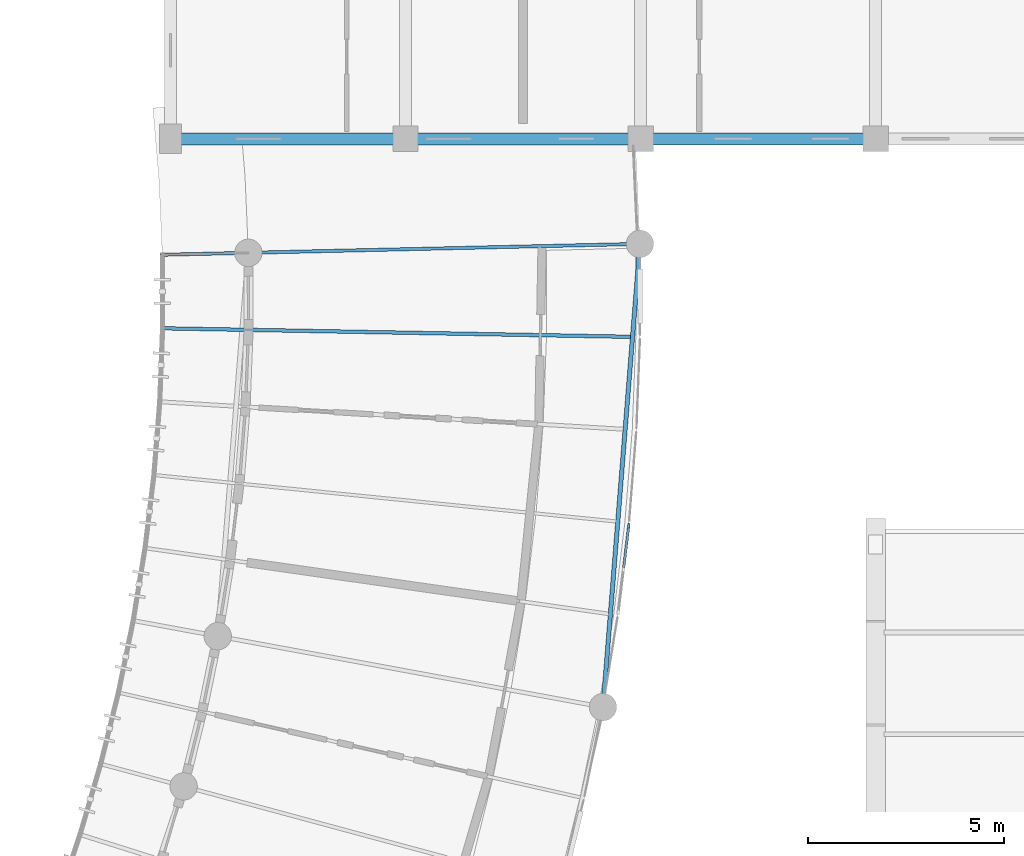
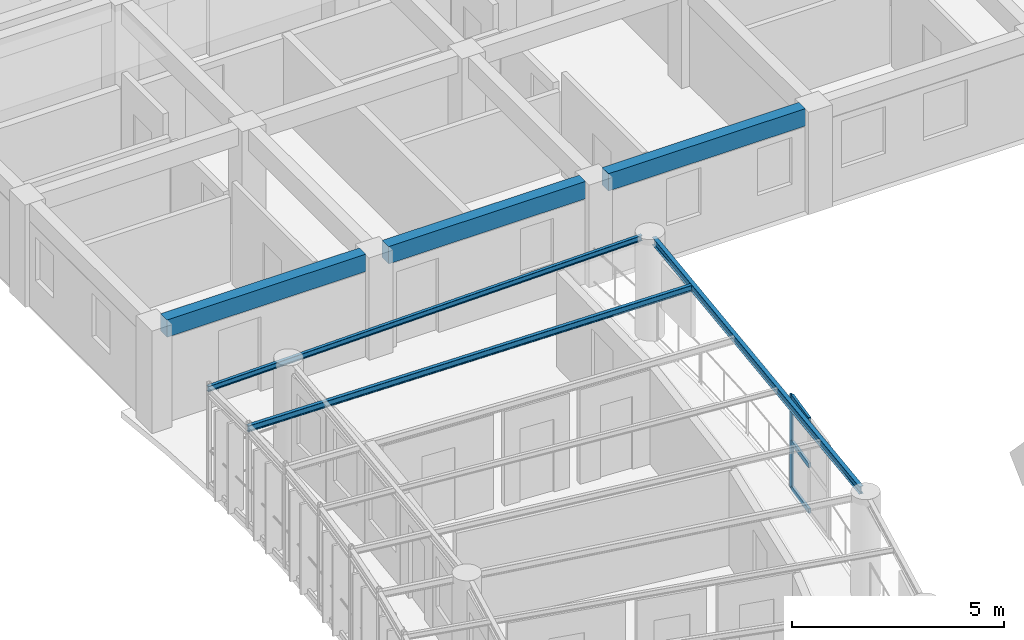
# One storey, part 39 of 123: 6 beams, 4 members, 1 element without a shape of its own.
"""IFC4 building model written with IfcOpenShell, lengths in metres."""

from ifc_helpers import new_model, si_unit, direction, frame, origin, origin_2d, place, context, subcontext, project, spatial, rectangle, i_section, extrude, material, layer, layer_set, material_profile, profile_set, type_object, element, aggregate, save


model = new_model("IFC4")

# Units and contexts
model_context = context("Model", 3, precision=1e-05, world=origin(), true_north=direction((0.0, 1.0)))
body_context = subcontext(model_context, "Body", "Model", "MODEL_VIEW")
ifc_project = project(units=[si_unit("LENGTHUNIT", "METRE"), si_unit("AREAUNIT", "SQUARE_METRE"), si_unit("VOLUMEUNIT", "CUBIC_METRE"), si_unit("PLANEANGLEUNIT", "RADIAN"), si_unit("MASSUNIT", "GRAM", prefix="KILO"), si_unit("POWERUNIT", "WATT"), si_unit("THERMODYNAMICTEMPERATUREUNIT", "KELVIN")], contexts=[model_context])

# Site, building, storey
site_placement = place(None, origin())
site = spatial("IfcSite", under=ifc_project, at=site_placement, CompositionType="ELEMENT")
building_placement = place(site_placement, origin())
building = spatial("IfcBuilding", under=site, at=building_placement, Name="Ruvembo Vaulted Housing Court", CompositionType="ELEMENT")
storey_placement = place(building_placement, frame((0.0, 0.0, 7.699951171875)))
storey = spatial("IfcBuildingStorey", under=building, at=storey_placement, Name="L02", CompositionType="ELEMENT", Elevation=7.699951171875)

# Beams
ifc_material_1 = material(Name="Steel S355J2", Category="steel")
ifc_material_profile_1 = material_profile(ifc_material_1, i_section(OverallWidth=0.08203125, OverallDepth=0.159912109375, WebThickness=0.0048828125, FlangeThickness=0.00732421875, FilletRadius=0.009033203125, at=origin_2d()), Name="IPE 160")
ifc_profile_set_1 = profile_set([ifc_material_profile_1], Name="Steel S355J2")
beam_type_1 = type_object("IfcBeamType", Name="BM-ST-IPE160", PredefinedType="JOIST", material=ifc_profile_set_1)
beam_1_placement = place(storey_placement, frame((59.755126953125, 75.315185546875, 2.860107421875), z_axis=(-0.999740795547, -0.022767119233, 0.0), x_axis=(0.022767119233, -0.999740795547, 0.0)))
element("IfcBeam", 1, at=beam_1_placement, inside=storey, type_object=beam_type_1, Name="Scoop SC1 L02 Radial Steel Joist 19", PredefinedType="JOIST", context=body_context, shape_type="SweptSolid", body=[
    extrude(i_section(OverallWidth=0.08203125, OverallDepth=0.159912109375, WebThickness=0.0048828125, FlangeThickness=0.00732421875, FilletRadius=0.009033203125, at=origin_2d()), origin(), (0.0, 0.0, 1.0), 12.01025390625),
])
ifc_material_profile_2 = material_profile(ifc_material_1, i_section(OverallWidth=0.091064453125, OverallDepth=0.179931640625, WebThickness=0.00537109375, FlangeThickness=0.008056640625, FilletRadius=0.009033203125, at=origin_2d()), Name="IPE 180")
ifc_profile_set_2 = profile_set([ifc_material_profile_2], Name="Steel S355J2")
beam_type_2 = type_object("IfcBeamType", Name="BM-ST-IPE180", PredefinedType="JOIST", material=ifc_profile_set_2)
beam_2_placement = place(storey_placement, frame((59.74560546875, 72.9482421875, 2.85009765625), z_axis=(-0.999834442166, 0.018195830781, 0.0), x_axis=(-0.018195830781, -0.999834442166, 0.0)))
element("IfcBeam", 2, at=beam_2_placement, inside=storey, type_object=beam_type_2, Name="Scoop SC1 L02 Radial Steel Joist 18", PredefinedType="JOIST", context=body_context, shape_type="SweptSolid", body=[
    extrude(i_section(OverallWidth=0.091064453125, OverallDepth=0.179931640625, WebThickness=0.00537109375, FlangeThickness=0.008056640625, FilletRadius=0.009033203125, at=origin_2d()), origin(), (0.0, 0.0, 1.0), 11.9951171875),
])
ifc_material_profile_3 = material_profile(ifc_material_1, i_section(OverallWidth=0.110107421875, OverallDepth=0.219970703125, WebThickness=0.005859375, FlangeThickness=0.00927734375, FilletRadius=0.011962890625, at=origin_2d()), Name="IPE 220")
ifc_profile_set_3 = profile_set([ifc_material_profile_3], Name="Steel S355J2")
beam_type_3 = type_object("IfcBeamType", Name="BM-ST-IPE220", PredefinedType="SPANDREL", material=ifc_profile_set_3)
beam_3_placement = place(storey_placement, frame((59.05908203125, 63.724609375, 2.83203125), z_axis=(0.079605659313, 0.996826433741, 0.0), x_axis=(-0.996826433741, 0.079605659313, 0.0)))
element("IfcBeam", 3, at=beam_3_placement, inside=storey, type_object=beam_type_3, Name="Scoop SC1 L02 Chord Girder B14", PredefinedType="SPANDREL", context=body_context, shape_type="SweptSolid", body=[
    extrude(i_section(OverallWidth=0.110107421875, OverallDepth=0.219970703125, WebThickness=0.005859375, FlangeThickness=0.00927734375, FilletRadius=0.011962890625, at=origin_2d()), origin(), (0.0, 0.0, 1.0), 11.402587890625),
])

# Curtain wall, members
ifc_material_2 = material(Name="Anodised Aluminium and Solar-Control Glass", Category="aluminium")
ifc_layer = layer(ifc_material_2, 0.1201171875, Name="Anodised Aluminium and Solar-Control Glass")
ifc_layer_set = layer_set([ifc_layer], Name="Anodised Aluminium and Solar-Control Glass")
curtain_wall_type = type_object("IfcCurtainWallType", Name="CW-SCOOP-GAL", PredefinedType="NOTDEFINED", material=ifc_layer_set)
curtain_wall_placement = place(storey_placement, origin())
curtain_wall = element("IfcCurtainWall", 4, at=curtain_wall_placement, inside=storey, type_object=curtain_wall_type, Name="L02 Curtain Wall CW-L02-0016", PredefinedType="NOTDEFINED")
ifc_material_3 = material(Name="Anodised Aluminium 6063-T6", Category="aluminium")
ifc_material_profile_4 = material_profile(ifc_material_3, rectangle(XDim=0.06005859375, YDim=0.139892578125, at=origin_2d()), Name="ALU 60x140")
ifc_profile_set_4 = profile_set([ifc_material_profile_4], Name="Anodised Aluminium 6063-T6")
member_type_1 = type_object("IfcMemberType", Name="CW-MUL-60x140", PredefinedType="MULLION", material=ifc_profile_set_4)
member_1_placement = place(storey_placement, frame((59.69970703125, 68.12060546875, 0.0), z_axis=(0.0, 0.0, 1.0), x_axis=(-0.992725352187, 0.12040089337, 0.0)))
member_1 = element("IfcMember", 5, at=member_1_placement, type_object=member_type_1, Name="CW6 mullion 3", PredefinedType="MULLION", context=body_context, shape_type="SweptSolid", body=[
    extrude(rectangle(XDim=0.06005859375, YDim=0.139892578125, at=origin_2d()), origin(), (0.0, 0.0, 1.0), 2.697998046875),
])
ifc_material_profile_5 = material_profile(ifc_material_3, rectangle(XDim=0.06494140625, YDim=0.135009765625, at=origin_2d()), Name="ALU 65x135")
ifc_profile_set_5 = profile_set([ifc_material_profile_5], Name="Anodised Aluminium 6063-T6")
member_type_2 = type_object("IfcMemberType", Name="CW-TRN-65x135", PredefinedType="USERDEFINED", material=ifc_profile_set_5)
member_2_placement = place(storey_placement, frame((59.56982421875, 67.05029296875, 0.032470703125), z_axis=(0.120421796404, 0.992722816778, 0.0), x_axis=(-0.992722816778, 0.120421796404, 0.0)))
member_2 = element("IfcMember", 6, at=member_2_placement, type_object=member_type_2, Name="CW6 transom 2.1", ObjectType="TRANSOM", PredefinedType="USERDEFINED", context=body_context, shape_type="SweptSolid", body=[
    extrude(rectangle(XDim=0.06494140625, YDim=0.135009765625, at=origin_2d()), origin(), (0.0, 0.0, 1.0), 1.048095703125),
])
member_3_placement = place(storey_placement, frame((59.56982421875, 67.05029296875, 1.34912109375), z_axis=(0.120421796404, 0.992722816778, 0.0), x_axis=(-0.992722816778, 0.120421796404, 0.0)))
member_3 = element("IfcMember", 7, at=member_3_placement, type_object=member_type_2, Name="CW6 transom 2.2", ObjectType="TRANSOM", PredefinedType="USERDEFINED", context=body_context, shape_type="SweptSolid", body=[
    extrude(rectangle(XDim=0.06494140625, YDim=0.135009765625, at=origin_2d()), origin(), (0.0, 0.0, 1.0), 1.048095703125),
])
member_4_placement = place(storey_placement, frame((59.56982421875, 67.05029296875, 2.66552734375), z_axis=(0.120421796404, 0.992722816778, 0.0), x_axis=(-0.992722816778, 0.120421796404, 0.0)))
member_4 = element("IfcMember", 8, at=member_4_placement, type_object=member_type_2, Name="CW6 transom 2.3", ObjectType="TRANSOM", PredefinedType="USERDEFINED", context=body_context, shape_type="SweptSolid", body=[
    extrude(rectangle(XDim=0.06494140625, YDim=0.135009765625, at=origin_2d()), origin(), (0.0, 0.0, 1.0), 1.048095703125),
])
aggregate(curtain_wall, [member_1, member_2, member_3, member_4])

# Beams
ifc_material_4 = material(Name="Concrete C35/45", Category="concrete")
ifc_material_profile_6 = material_profile(ifc_material_4, rectangle(XDim=0.300048828125, YDim=0.5, at=origin_2d()), Name="RC 300x500")
ifc_profile_set_6 = profile_set([ifc_material_profile_6], Name="Concrete C35/45")
beam_type_4 = type_object("IfcBeamType", Name="SP-RC-300x500", PredefinedType="SPANDREL", material=ifc_profile_set_6)
beam_4_placement = place(storey_placement, frame((48.260009765625, 78.0, 2.705078125), z_axis=(1.0, 0.0, 0.0), x_axis=(0.0, 1.0, 0.0)))
element("IfcBeam", 9, at=beam_4_placement, inside=storey, type_object=beam_type_4, Name="L02 Grid Beam X #1501", PredefinedType="SPANDREL", context=body_context, shape_type="SweptSolid", body=[
    extrude(rectangle(XDim=0.300048828125, YDim=0.5, at=origin_2d()), origin(), (0.0, 0.0, 1.0), 5.429931640625),
])
for number, where, z_axis, x_axis, name in (
    (10, (54.31005859375, 78.0, 2.705078125), (1.0, 0.0, 0.0), (0.0, 1.0, 0.0), "L02 Grid Beam X #1502"),
    (11, (60.31005859375, 78.0, 2.705078125), (1.0, 0.0, 0.0), (0.0, 1.0, 0.0), "L02 Grid Beam X #1503"),
):
    element("IfcBeam", number, at=place(storey_placement, frame(where, z_axis=z_axis, x_axis=x_axis)), inside=storey, type_object=beam_type_4, Name=name, PredefinedType="SPANDREL", context=body_context, shape_type="SweptSolid", body=[
        extrude(rectangle(XDim=0.300048828125, YDim=0.5, at=origin_2d()), origin(), (0.0, 0.0, 1.0), 5.3798828125),
    ])

save(model, "model.ifc")
